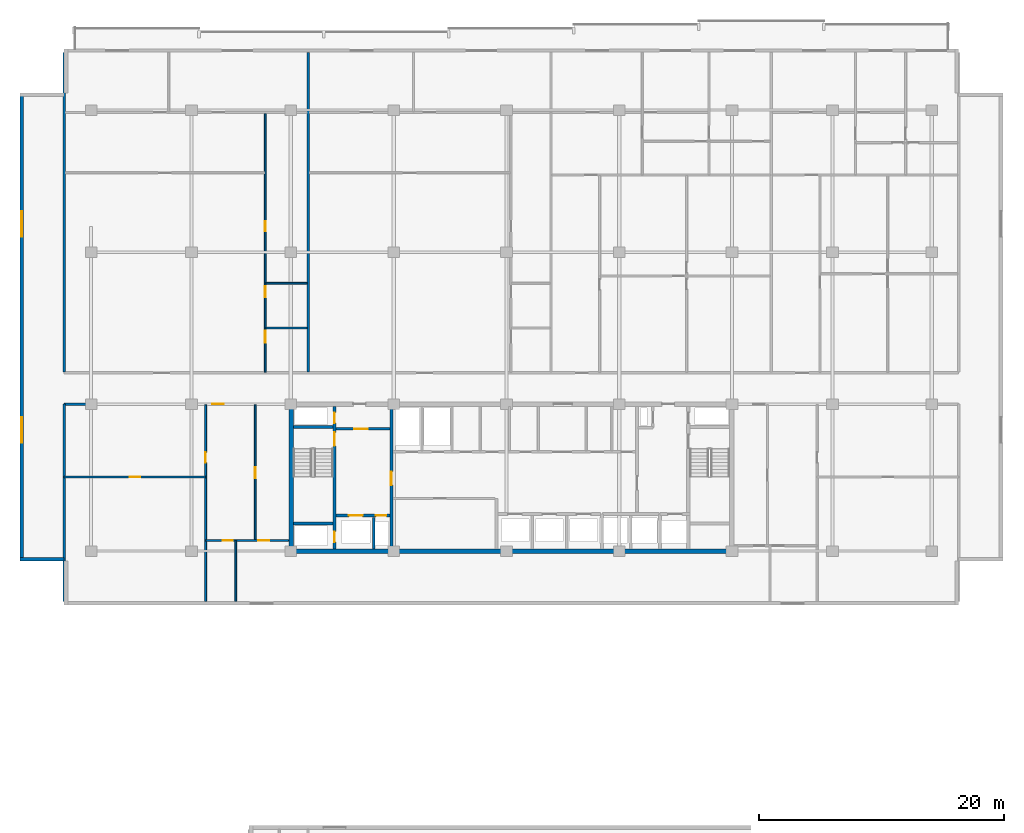
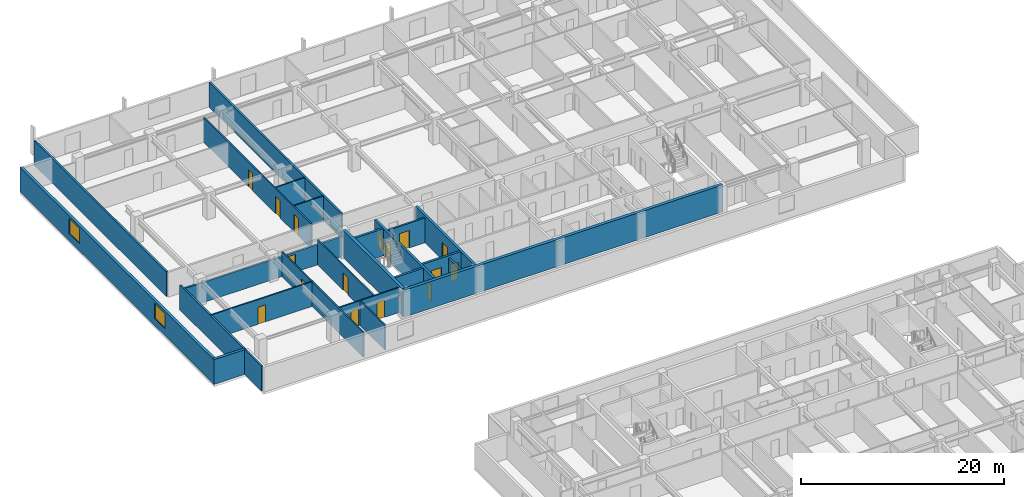
# One storey, part 10 of 21: 23 walls, 16 doors, 2 windows, 18 openings.
"""IFC4 building model written with IfcOpenShell, lengths in metres."""

from ifc_helpers import new_model, si_unit, direction, frame, frame_2d, origin, place, context, subcontext, project, spatial, rectangle, extrude, material, layer, layer_set, type_object, element, fill, save


model = new_model("IFC4")

# Units and contexts
model_context = context("Model", 3, precision=1e-05, world=origin(), true_north=direction((0.0, 1.0)))
body_context = subcontext(model_context, "Body", "Model", "MODEL_VIEW")
ifc_project = project(units=[si_unit("LENGTHUNIT", "METRE"), si_unit("AREAUNIT", "SQUARE_METRE"), si_unit("VOLUMEUNIT", "CUBIC_METRE"), si_unit("PLANEANGLEUNIT", "RADIAN"), si_unit("MASSUNIT", "GRAM", prefix="KILO")], contexts=[model_context])

# Site, building, storey
site_placement = place(None, origin())
site = spatial("IfcSite", under=ifc_project, at=site_placement, CompositionType="ELEMENT")
building_placement = place(site_placement, origin())
building = spatial("IfcBuilding", under=site, at=building_placement, Name="Korimba Cascade Residences", CompositionType="ELEMENT")
storey_placement = place(building_placement, frame((0.0, 0.0, 119.800048828125)))
storey = spatial("IfcBuildingStorey", under=building, at=storey_placement, Name="L34", CompositionType="ELEMENT", Elevation=119.800048828125)

# Wall, openings, windows
ifc_material_1 = material(Name="Precast concrete C40/50", Category="concrete")
ifc_layer_1 = layer(ifc_material_1, 0.300048828125)
ifc_layer_set_1 = layer_set([ifc_layer_1], Name="Precast concrete C40/50")
wall_type_1 = type_object("IfcWallType", Name="EW-STONE-300", PredefinedType="STANDARD", material=ifc_layer_set_1)
wall_1_placement = place(storey_placement, frame((54.14990234375, 92.60009765625, 0.0), z_axis=(0.0, 0.0, 1.0), x_axis=(0.0, -1.0, 0.0)))
wall_1 = element("IfcWall", 1, at=wall_1_placement, inside=storey, type_object=wall_type_1, Name="L34 T1 Perimeter Stone Wall E09", PredefinedType="STANDARD", context=body_context, shape_type="SweptSolid", body=[
    extrude(rectangle(XDim=38.2001953125, YDim=0.300048828125, at=frame_2d((19.10009765625, 0.0))), origin(), (0.0, 0.0, 1.0), 2.969970703125),
])
opening_1_placement = place(wall_1_placement, frame((9.64599609375, 0.0, 0.85009765625)))
opening_1 = element("IfcOpeningElement", 2, at=opening_1_placement, cuts=wall_1, Name="Opening W-03", PredefinedType="OPENING", context=body_context, shape_type="SweptSolid", body=[
    extrude(rectangle(XDim=2.10009765625, YDim=1.85009765625, at=frame_2d((1.050048828125, 0.925048828125))), frame((0.0, 0.16015625, 0.0), z_axis=(0.0, -1.0, 0.0), x_axis=(1.0, 0.0, 0.0)), (0.0, 0.0, 1.0), 0.320068359375),
])
opening_2_placement = place(wall_1_placement, frame((26.4541015625, 0.0, 0.85009765625)))
opening_2 = element("IfcOpeningElement", 3, at=opening_2_placement, cuts=wall_1, Name="Opening W-03", PredefinedType="OPENING", context=body_context, shape_type="SweptSolid", body=[
    extrude(rectangle(XDim=2.10009765625, YDim=1.85009765625, at=frame_2d((1.050048828125, 0.925048828125))), frame((0.0, 0.16015625, 0.0), z_axis=(0.0, -1.0, 0.0), x_axis=(1.0, 0.0, 0.0)), (0.0, 0.0, 1.0), 0.320068359375),
])
ifc_material_2 = material(Name="Double-Glazed Aluminium Window", Category="aluminium")
window_type = type_object("IfcWindowType", Name="WIN-CRN-2100", PartitioningType="DOUBLE_PANEL_HORIZONTAL", PredefinedType="WINDOW", material=ifc_material_2)
window_1_placement = place(opening_1_placement, origin())
window_1 = element("IfcWindow", 4, at=window_1_placement, inside=storey, type_object=window_type, Name="L34 T1 End View Window 9.1", OverallHeight=1.85009765625, OverallWidth=2.10009765625, PartitioningType="DOUBLE_PANEL_HORIZONTAL", PredefinedType="WINDOW", context=body_context, shape_type="SweptSolid", body=[
    extrude(rectangle(XDim=2.10009765625, YDim=1.85009765625, at=frame_2d((1.050048828125, 0.925048828125))), frame((0.0, 0.030029296875, 0.0), z_axis=(0.0, -1.0, 0.0), x_axis=(1.0, 0.0, 0.0)), (0.0, 0.0, 1.0), 0.06005859375),
])
fill(opening_1, window_1)
window_2_placement = place(opening_2_placement, origin())
window_2 = element("IfcWindow", 5, at=window_2_placement, inside=storey, type_object=window_type, Name="L34 T1 End View Window 9.2", OverallHeight=1.85009765625, OverallWidth=2.10009765625, PartitioningType="DOUBLE_PANEL_HORIZONTAL", PredefinedType="WINDOW", context=body_context, shape_type="SweptSolid", body=[
    extrude(rectangle(XDim=2.10009765625, YDim=1.85009765625, at=frame_2d((1.050048828125, 0.925048828125))), frame((0.0, 0.030029296875, 0.0), z_axis=(0.0, -1.0, 0.0), x_axis=(1.0, 0.0, 0.0)), (0.0, 0.0, 1.0), 0.06005859375),
])
fill(opening_2, window_2)

# Walls
wall_2_placement = place(storey_placement, frame((54.0, 54.550048828125, 0.0), z_axis=(0.0, 0.0, 1.0), x_axis=(1.0, 0.0, 0.0)))
element("IfcWall", 6, at=wall_2_placement, inside=storey, type_object=wall_type_1, Name="L34 T1 Perimeter Stone Wall E10", PredefinedType="STANDARD", context=body_context, shape_type="SweptSolid", body=[
    extrude(rectangle(XDim=3.60009765625, YDim=0.300048828125, at=frame_2d((1.800048828125, 0.0))), origin(), (0.0, 0.0, 1.0), 2.969970703125),
])
ifc_material_3 = material(Name="Concrete C65/80", Category="concrete")
ifc_layer_2 = layer(ifc_material_3, 0.35009765625)
ifc_layer_set_2 = layer_set([ifc_layer_2], Name="Concrete C65/80")
wall_type_2 = type_object("IfcWallType", Name="WAL-CORE-350", PredefinedType="SHEAR", material=ifc_layer_set_2)
wall_3_placement = place(storey_placement, frame((75.949951171875, 55.199951171875, 0.0), z_axis=(0.0, 0.0, 1.0), x_axis=(1.0, 0.0, 0.0)))
element("IfcWall", 7, at=wall_3_placement, inside=storey, type_object=wall_type_2, Name="L34 Core Shear Wall CW-L34-T1-S", PredefinedType="SHEAR", context=body_context, shape_type="SweptSolid", body=[
    extrude(rectangle(XDim=36.300048828125, YDim=0.35009765625, at=frame_2d((18.14990234375, 0.0))), origin(), (0.0, 0.0, 1.0), 3.25),
])
wall_4_placement = place(storey_placement, frame((76.125, 55.375, 0.0), z_axis=(0.0, 0.0, 1.0), x_axis=(0.0, 1.0, 0.0)))
element("IfcWall", 8, at=wall_4_placement, inside=storey, type_object=wall_type_2, Name="L34 Core Shear Wall CW-L34-T1-W", PredefinedType="SHEAR", context=body_context, shape_type="SweptSolid", body=[
    extrude(rectangle(XDim=11.64990234375, YDim=0.35009765625, at=frame_2d((5.824951171875, 0.0))), origin(), (0.0, 0.0, 1.0), 3.25),
])
ifc_layer_3 = layer(ifc_material_1, 0.199951171875)
ifc_layer_set_3 = layer_set([ifc_layer_3], Name="Precast concrete C40/50")
wall_type_3 = type_object("IfcWallType", Name="WAL-IT-200", PredefinedType="PARTITIONING", material=ifc_layer_set_3)
wall_5_placement = place(storey_placement, frame((57.60009765625, 51.10009765625, 0.0), z_axis=(0.0, 0.0, 1.0), x_axis=(0.0, 1.0, 0.0)))
element("IfcWall", 9, at=wall_5_placement, inside=storey, type_object=wall_type_3, Name="L34 Partition Wall WAL-L34-T1-FW-WL", PredefinedType="PARTITIONING", context=body_context, shape_type="SweptSolid", body=[
    extrude(rectangle(XDim=16.099853515625, YDim=0.199951171875, at=frame_2d((8.0498046875, 0.0))), origin(), (0.0, 0.0, 1.0), 2.969970703125),
])

# Wall, opening, door
wall_6_placement = place(storey_placement, frame((57.60009765625, 67.199951171875, 0.0), z_axis=(0.0, 0.0, 1.0), x_axis=(1.0, 0.0, 0.0)))
wall_6 = element("IfcWall", 10, at=wall_6_placement, inside=storey, type_object=wall_type_3, Name="L34 Partition Wall WAL-L34-T1-FW-N", PredefinedType="PARTITIONING", context=body_context, shape_type="SweptSolid", body=[
    extrude(rectangle(XDim=18.349853515625, YDim=0.199951171875, at=frame_2d((9.1748046875, 0.0))), origin(), (0.0, 0.0, 1.0), 2.433349609375),
])
opening_3_placement = place(wall_6_placement, frame((12.07470703125, 0.0, 0.0)))
opening_3 = element("IfcOpeningElement", 11, at=opening_3_placement, cuts=wall_6, Name="Opening D-UN1", PredefinedType="OPENING", context=body_context, shape_type="SweptSolid", body=[
    extrude(rectangle(XDim=0.949951171875, YDim=2.14990234375, at=frame_2d((0.47509765625, 1.074951171875))), frame((0.0, 0.10986328125, 0.0), z_axis=(0.0, -1.0, 0.0), x_axis=(1.0, 0.0, 0.0)), (0.0, 0.0, 1.0), 0.219970703125),
])
ifc_material_4 = material(Name="Fire-Rated Hardwood Apartment Entrance Door", Category="wood")
door_type_1 = type_object("IfcDoorType", Name="DR-FD60-950", OperationType="NOTDEFINED", PredefinedType="DOOR", material=ifc_material_4)
door_1_placement = place(opening_3_placement, origin())
door_1 = element("IfcDoor", 12, at=door_1_placement, inside=storey, type_object=door_type_1, Name="L34-T1-FW Entrance Door", OperationType="SINGLE_SWING_RIGHT", OverallHeight=2.14990234375, OverallWidth=0.949951171875, PredefinedType="DOOR", context=body_context, shape_type="SweptSolid", body=[
    extrude(rectangle(XDim=0.949951171875, YDim=2.14990234375, at=frame_2d((0.47509765625, 1.074951171875))), frame((0.0, 0.02490234375, 0.0), z_axis=(0.0, -1.0, 0.0), x_axis=(1.0, 0.0, 0.0)), (0.0, 0.0, 1.0), 0.050048828125),
])
fill(opening_3, door_1)

# Walls
for number, where, z_axis, x_axis, name in (
    (13, (57.60009765625, 69.830078125, 0.0), (0.0, 0.0, 1.0), (0.0, 1.0, 0.0), "L34 Partition Wall WAL-L34-T1-BNDWL"),
    (14, (77.510498046875, 69.830078125, 0.0), (0.0, 0.0, 1.0), (0.0, 1.0, 0.0), "L34 Partition Wall WAL-L34-T1-DEM-1"),
):
    element("IfcWall", number, at=place(storey_placement, frame(where, z_axis=z_axis, x_axis=x_axis)), inside=storey, type_object=wall_type_3, Name=name, PredefinedType="PARTITIONING", context=body_context, shape_type="SweptSolid", body=[
        extrude(rectangle(XDim=26.06982421875, YDim=0.199951171875, at=frame_2d((13.034912109375, 0.0))), origin(), (0.0, 0.0, 1.0), 2.969970703125),
    ])

# Wall, opening, door
ifc_material_5 = material(Name="Insulated Acoustic Stud Partition", Category="gypsum")
ifc_layer_4 = layer(ifc_material_5, 0.14990234375)
ifc_layer_set_4 = layer_set([ifc_layer_4], Name="Insulated Acoustic Stud Partition")
wall_type_4 = type_object("IfcWallType", Name="WAL-PART-150", PredefinedType="PARTITIONING", material=ifc_layer_set_4)
wall_7_placement = place(storey_placement, frame((57.60009765625, 61.25, 0.0), z_axis=(0.0, 0.0, 1.0), x_axis=(1.0, 0.0, 0.0)))
wall_7 = element("IfcWall", 15, at=wall_7_placement, inside=storey, type_object=wall_type_4, Name="L34 Partition Wall WAL-L34-T1-FW-STH", PredefinedType="PARTITIONING", context=body_context, shape_type="SweptSolid", body=[
    extrude(rectangle(XDim=11.5498046875, YDim=0.14990234375, at=frame_2d((5.77490234375, 0.0))), origin(), (0.0, 0.0, 1.0), 2.969970703125),
])
opening_4_placement = place(wall_7_placement, frame((5.35498046875, 0.0, 0.0)))
opening_4 = element("IfcOpeningElement", 16, at=opening_4_placement, cuts=wall_7, Name="Opening D-BT1", PredefinedType="OPENING", context=body_context, shape_type="SweptSolid", body=[
    extrude(rectangle(XDim=0.840087890625, YDim=2.0400390625, at=frame_2d((0.419921875, 1.02001953125))), frame((0.0, 0.0849609375, 0.0), z_axis=(0.0, -1.0, 0.0), x_axis=(1.0, 0.0, 0.0)), (0.0, 0.0, 1.0), 0.169921875),
])
ifc_material_6 = material(Name="Moisture-Resistant Bathroom Timber Door", Category="wood")
door_type_2 = type_object("IfcDoorType", Name="DR-INT-850", OperationType="NOTDEFINED", PredefinedType="DOOR", material=ifc_material_6)
door_2_placement = place(opening_4_placement, origin())
door_2 = element("IfcDoor", 17, at=door_2_placement, inside=storey, type_object=door_type_2, Name="L34-T1-FW Dressing Store Door", OperationType="SINGLE_SWING_LEFT", OverallHeight=2.0400390625, OverallWidth=0.840087890625, PredefinedType="DOOR", context=body_context, shape_type="SweptSolid", body=[
    extrude(rectangle(XDim=0.840087890625, YDim=2.0400390625, at=frame_2d((0.419921875, 1.02001953125))), frame((0.0, 0.02490234375, 0.0), z_axis=(0.0, -1.0, 0.0), x_axis=(1.0, 0.0, 0.0)), (0.0, 0.0, 1.0), 0.050048828125),
])
fill(opening_4, door_2)

wall_8_placement = place(storey_placement, frame((69.14990234375, 51.10009765625, 0.0), z_axis=(0.0, 0.0, 1.0), x_axis=(0.0, 1.0, 0.0)))
wall_8 = element("IfcWall", 18, at=wall_8_placement, inside=storey, type_object=wall_type_4, Name="L34 Partition Wall WAL-L34-T1-FW-STV", PredefinedType="PARTITIONING", context=body_context, shape_type="SweptSolid", body=[
    extrude(rectangle(XDim=16.0498046875, YDim=0.14990234375, at=frame_2d((8.02490234375, 0.0))), origin(), (0.0, 0.0, 1.0), 2.969970703125),
])
opening_5_placement = place(wall_8_placement, frame((11.300048828125, 0.0, 0.0)))
opening_5 = element("IfcOpeningElement", 19, at=opening_5_placement, cuts=wall_8, Name="Opening D-IN2", PredefinedType="OPENING", context=body_context, shape_type="SweptSolid", body=[
    extrude(rectangle(XDim=0.8798828125, YDim=2.06005859375, at=frame_2d((0.43994140625, 1.030029296875))), frame((0.0, 0.0849609375, 0.0), z_axis=(0.0, -1.0, 0.0), x_axis=(1.0, 0.0, 0.0)), (0.0, 0.0, 1.0), 0.169921875),
])
ifc_material_7 = material(Name="Acoustic Timber Bedroom Door", Category="wood")
door_type_3 = type_object("IfcDoorType", Name="DR-INT-880", OperationType="NOTDEFINED", PredefinedType="DOOR", material=ifc_material_7)
door_3_placement = place(opening_5_placement, origin())
door_3 = element("IfcDoor", 20, at=door_3_placement, inside=storey, type_object=door_type_3, Name="L34-T1-FW Study Door", OperationType="SINGLE_SWING_RIGHT", OverallHeight=2.06005859375, OverallWidth=0.8798828125, PredefinedType="DOOR", context=body_context, shape_type="SweptSolid", body=[
    extrude(rectangle(XDim=0.8798828125, YDim=2.06005859375, at=frame_2d((0.43994140625, 1.030029296875))), frame((0.0, 0.02490234375, 0.0), z_axis=(0.0, -1.0, 0.0), x_axis=(1.0, 0.0, 0.0)), (0.0, 0.0, 1.0), 0.050048828125),
])
fill(opening_5, door_3)

wall_9_placement = place(storey_placement, frame((73.199951171875, 56.070068359375, 0.0), z_axis=(0.0, 0.0, 1.0), x_axis=(0.0, 1.0, 0.0)))
wall_9 = element("IfcWall", 21, at=wall_9_placement, inside=storey, type_object=wall_type_4, Name="L34 Partition Wall WAL-L34-T1-FW-VN", PredefinedType="PARTITIONING", context=body_context, shape_type="SweptSolid", body=[
    extrude(rectangle(XDim=11.079833984375, YDim=0.14990234375, at=frame_2d((5.5400390625, 0.0))), origin(), (0.0, 0.0, 1.0), 2.969970703125),
])
opening_6_placement = place(wall_9_placement, frame((5.080078125, 0.0, 0.0)))
opening_6 = element("IfcOpeningElement", 22, at=opening_6_placement, cuts=wall_9, Name="Opening D-IN1", PredefinedType="OPENING", context=body_context, shape_type="SweptSolid", body=[
    extrude(rectangle(XDim=0.919921875, YDim=2.080078125, at=frame_2d((0.4599609375, 1.0400390625))), frame((0.0, 0.0849609375, 0.0), z_axis=(0.0, -1.0, 0.0), x_axis=(1.0, 0.0, 0.0)), (0.0, 0.0, 1.0), 0.169921875),
])
ifc_material_8 = material(Name="Acoustic Timber Living Door", Category="wood")
door_type_4 = type_object("IfcDoorType", Name="DR-INT-920", OperationType="NOTDEFINED", PredefinedType="DOOR", material=ifc_material_8)
door_4_placement = place(opening_6_placement, origin())
door_4 = element("IfcDoor", 23, at=door_4_placement, inside=storey, type_object=door_type_4, Name="L34-T1-FW Living Door", OperationType="SINGLE_SWING_LEFT", OverallHeight=2.080078125, OverallWidth=0.919921875, PredefinedType="DOOR", context=body_context, shape_type="SweptSolid", body=[
    extrude(rectangle(XDim=0.919921875, YDim=2.080078125, at=frame_2d((0.4599609375, 1.0400390625))), frame((0.0, 0.02490234375, 0.0), z_axis=(0.0, -1.0, 0.0), x_axis=(1.0, 0.0, 0.0)), (0.0, 0.0, 1.0), 0.050048828125),
])
fill(opening_6, door_4)

# Wall
wall_10_placement = place(storey_placement, frame((71.60009765625, 51.10009765625, 0.0), z_axis=(0.0, 0.0, 1.0), x_axis=(0.0, 1.0, 0.0)))
element("IfcWall", 24, at=wall_10_placement, inside=storey, type_object=wall_type_4, Name="L34 Partition Wall WAL-L34-T1-FW-VS", PredefinedType="PARTITIONING", context=body_context, shape_type="SweptSolid", body=[
    extrude(rectangle(XDim=4.969970703125, YDim=0.14990234375, at=frame_2d((2.48486328125, 0.0))), origin(), (0.0, 0.0, 1.0), 2.969970703125),
])

# Wall, openings, doors
wall_11_placement = place(storey_placement, frame((69.169921875, 56.070068359375, 0.0), z_axis=(0.0, 0.0, 1.0), x_axis=(1.0, 0.0, 0.0)))
wall_11 = element("IfcWall", 25, at=wall_11_placement, inside=storey, type_object=wall_type_4, Name="L34 Partition Wall WAL-L34-T1-FW-H", PredefinedType="PARTITIONING", context=body_context, shape_type="SweptSolid", body=[
    extrude(rectangle(XDim=6.760009765625, YDim=0.14990234375, at=frame_2d((3.3798828125, 0.0))), origin(), (0.0, 0.0, 1.0), 2.969970703125),
])
opening_7_placement = place(wall_11_placement, frame((1.3623046875, 0.0, 0.0)))
opening_7 = element("IfcOpeningElement", 26, at=opening_7_placement, cuts=wall_11, Name="Opening D-BT1", PredefinedType="OPENING", context=body_context, shape_type="SweptSolid", body=[
    extrude(rectangle(XDim=0.840087890625, YDim=2.0400390625, at=frame_2d((0.419921875, 1.02001953125))), frame((0.0, 0.0849609375, 0.0), z_axis=(0.0, -1.0, 0.0), x_axis=(1.0, 0.0, 0.0)), (0.0, 0.0, 1.0), 0.169921875),
])
opening_8_placement = place(wall_11_placement, frame((4.276611328125, 0.0, 0.0)))
opening_8 = element("IfcOpeningElement", 27, at=opening_8_placement, cuts=wall_11, Name="Opening D-IN2", PredefinedType="OPENING", context=body_context, shape_type="SweptSolid", body=[
    extrude(rectangle(XDim=0.8798828125, YDim=2.06005859375, at=frame_2d((0.43994140625, 1.030029296875))), frame((0.0, 0.0849609375, 0.0), z_axis=(0.0, -1.0, 0.0), x_axis=(1.0, 0.0, 0.0)), (0.0, 0.0, 1.0), 0.169921875),
])
door_5_placement = place(opening_7_placement, origin())
door_5 = element("IfcDoor", 28, at=door_5_placement, inside=storey, type_object=door_type_2, Name="L34-T1-FW Bathroom Door", OperationType="SINGLE_SWING_RIGHT", OverallHeight=2.0400390625, OverallWidth=0.840087890625, PredefinedType="DOOR", context=body_context, shape_type="SweptSolid", body=[
    extrude(rectangle(XDim=0.840087890625, YDim=2.0400390625, at=frame_2d((0.419921875, 1.02001953125))), frame((0.0, 0.02490234375, 0.0), z_axis=(0.0, -1.0, 0.0), x_axis=(1.0, 0.0, 0.0)), (0.0, 0.0, 1.0), 0.050048828125),
])
fill(opening_7, door_5)
door_6_placement = place(opening_8_placement, origin())
door_6 = element("IfcDoor", 29, at=door_6_placement, inside=storey, type_object=door_type_3, Name="L34-T1-FW Bedroom Door", OperationType="SINGLE_SWING_LEFT", OverallHeight=2.06005859375, OverallWidth=0.8798828125, PredefinedType="DOOR", context=body_context, shape_type="SweptSolid", body=[
    extrude(rectangle(XDim=0.8798828125, YDim=2.06005859375, at=frame_2d((0.43994140625, 1.030029296875))), frame((0.0, 0.02490234375, 0.0), z_axis=(0.0, -1.0, 0.0), x_axis=(1.0, 0.0, 0.0)), (0.0, 0.0, 1.0), 0.050048828125),
])
fill(opening_8, door_6)

# Walls
for number, where, z_axis, x_axis, name in (
    (30, (74.070556640625, 73.419921875, 0.0), (0.0, 0.0, 1.0), (1.0, 0.0, 0.0), "L34 Partition Wall WAL-L34-T1-U01-WCH"),
    (31, (74.070556640625, 77.070068359375, 0.0), (0.0, 0.0, 1.0), (1.0, 0.0, 0.0), "L34 Partition Wall WAL-L34-T1-U01-WCH2"),
):
    element("IfcWall", number, at=place(storey_placement, frame(where, z_axis=z_axis, x_axis=x_axis)), inside=storey, type_object=wall_type_4, Name=name, PredefinedType="PARTITIONING", context=body_context, shape_type="SweptSolid", body=[
        extrude(rectangle(XDim=3.35986328125, YDim=0.14990234375, at=frame_2d((1.679931640625, 0.0))), origin(), (0.0, 0.0, 1.0), 2.969970703125),
    ])

# Wall, openings, doors
wall_12_placement = place(storey_placement, frame((74.010498046875, 69.81005859375, 0.0), z_axis=(0.0, 0.0, 1.0), x_axis=(0.0, 1.0, 0.0)))
wall_12 = element("IfcWall", 32, at=wall_12_placement, inside=storey, type_object=wall_type_4, Name="L34 Partition Wall WAL-L34-T1-U01-WCV", PredefinedType="PARTITIONING", context=body_context, shape_type="SweptSolid", body=[
    extrude(rectangle(XDim=21.1298828125, YDim=0.14990234375, at=frame_2d((10.56494140625, 0.0))), origin(), (0.0, 0.0, 1.0), 2.969970703125),
])
opening_9_placement = place(wall_12_placement, frame((2.406005859375, 0.0, 0.0)))
opening_9 = element("IfcOpeningElement", 33, at=opening_9_placement, cuts=wall_12, Name="Opening D-AC1", PredefinedType="OPENING", context=body_context, shape_type="SweptSolid", body=[
    extrude(rectangle(XDim=0.9599609375, YDim=2.10009765625, at=frame_2d((0.47998046875, 1.050048828125))), frame((0.0, 0.0849609375, 0.0), z_axis=(0.0, -1.0, 0.0), x_axis=(1.0, 0.0, 0.0)), (0.0, 0.0, 1.0), 0.169921875),
])
opening_10_placement = place(wall_12_placement, frame((6.132568359375, 0.0, 0.0)))
opening_10 = element("IfcOpeningElement", 34, at=opening_10_placement, cuts=wall_12, Name="Opening D-IN2", PredefinedType="OPENING", context=body_context, shape_type="SweptSolid", body=[
    extrude(rectangle(XDim=0.8798828125, YDim=2.06005859375, at=frame_2d((0.43994140625, 1.030029296875))), frame((0.0, 0.0849609375, 0.0), z_axis=(0.0, -1.0, 0.0), x_axis=(1.0, 0.0, 0.0)), (0.0, 0.0, 1.0), 0.169921875),
])
opening_11_placement = place(wall_12_placement, frame((11.482421875, 0.0, 0.0)))
opening_11 = element("IfcOpeningElement", 35, at=opening_11_placement, cuts=wall_12, Name="Opening D-BT1", PredefinedType="OPENING", context=body_context, shape_type="SweptSolid", body=[
    extrude(rectangle(XDim=0.840087890625, YDim=2.0400390625, at=frame_2d((0.419921875, 1.02001953125))), frame((0.0, 0.0849609375, 0.0), z_axis=(0.0, -1.0, 0.0), x_axis=(1.0, 0.0, 0.0)), (0.0, 0.0, 1.0), 0.169921875),
])
ifc_material_9 = material(Name="Accessible Acoustic Timber WC Door", Category="wood")
door_type_5 = type_object("IfcDoorType", Name="DR-ACC-950", OperationType="NOTDEFINED", PredefinedType="DOOR", material=ifc_material_9)
door_7_placement = place(opening_9_placement, origin())
door_7 = element("IfcDoor", 36, at=door_7_placement, inside=storey, type_object=door_type_5, Name="L34-T1-U01 Accessible WC Door", OperationType="SINGLE_SWING_RIGHT", OverallHeight=2.10009765625, OverallWidth=0.9599609375, PredefinedType="DOOR", context=body_context, shape_type="SweptSolid", body=[
    extrude(rectangle(XDim=0.9599609375, YDim=2.10009765625, at=frame_2d((0.47998046875, 1.050048828125))), frame((0.0, 0.02490234375, 0.0), z_axis=(0.0, -1.0, 0.0), x_axis=(1.0, 0.0, 0.0)), (0.0, 0.0, 1.0), 0.050048828125),
])
fill(opening_9, door_7)
door_8_placement = place(opening_11_placement, origin())
door_8 = element("IfcDoor", 37, at=door_8_placement, inside=storey, type_object=door_type_2, Name="L34-T1-U01 Suite Store Door", OperationType="SINGLE_SWING_RIGHT", OverallHeight=2.0400390625, OverallWidth=0.840087890625, PredefinedType="DOOR", context=body_context, shape_type="SweptSolid", body=[
    extrude(rectangle(XDim=0.840087890625, YDim=2.0400390625, at=frame_2d((0.419921875, 1.02001953125))), frame((0.0, 0.02490234375, 0.0), z_axis=(0.0, -1.0, 0.0), x_axis=(1.0, 0.0, 0.0)), (0.0, 0.0, 1.0), 0.050048828125),
])
fill(opening_11, door_8)
door_9_placement = place(opening_10_placement, origin())
door_9 = element("IfcDoor", 38, at=door_9_placement, inside=storey, type_object=door_type_3, Name="L34-T1-U01 Restroom WC Door", OperationType="SINGLE_SWING_LEFT", OverallHeight=2.06005859375, OverallWidth=0.8798828125, PredefinedType="DOOR", context=body_context, shape_type="SweptSolid", body=[
    extrude(rectangle(XDim=0.8798828125, YDim=2.06005859375, at=frame_2d((0.43994140625, 1.030029296875))), frame((0.0, 0.02490234375, 0.0), z_axis=(0.0, -1.0, 0.0), x_axis=(1.0, 0.0, 0.0)), (0.0, 0.0, 1.0), 0.050048828125),
])
fill(opening_10, door_9)

# Wall
ifc_material_10 = material(Name="Concrete C40/50", Category="concrete")
ifc_layer_5 = layer(ifc_material_10, 0.199951171875)
ifc_layer_set_5 = layer_set([ifc_layer_5], Name="Concrete C40/50")
wall_type_5 = type_object("IfcWallType", Name="WAL-PART-200", PredefinedType="PARTITIONING", material=ifc_layer_set_5)
wall_13_placement = place(storey_placement, frame((82.85009765625, 55.39990234375, 0.0), z_axis=(0.0, 0.0, 1.0), x_axis=(0.0, 1.0, 0.0)))
element("IfcWall", 39, at=wall_13_placement, inside=storey, type_object=wall_type_5, Name="L34 Partition Wall CW-L34-T1-FFLDIV", PredefinedType="PARTITIONING", context=body_context, shape_type="SweptSolid", body=[
    extrude(rectangle(XDim=2.56005859375, YDim=0.199951171875, at=frame_2d((1.280029296875, 0.0))), origin(), (0.0, 0.0, 1.0), 2.969970703125),
])

# Wall, opening, door
wall_14_placement = place(storey_placement, frame((79.7900390625, 65.179931640625, 0.0), z_axis=(0.0, 0.0, 1.0), x_axis=(1.0, 0.0, 0.0)))
wall_14 = element("IfcWall", 40, at=wall_14_placement, inside=storey, type_object=wall_type_5, Name="L34 Partition Wall CW-L34-T1-FFLN", PredefinedType="PARTITIONING", context=body_context, shape_type="SweptSolid", body=[
    extrude(rectangle(XDim=4.389892578125, YDim=0.199951171875, at=frame_2d((2.19482421875, 0.0))), origin(), (0.0, 0.0, 1.0), 2.969970703125),
])
opening_12_placement = place(wall_14_placement, frame((1.5, 0.0, 0.0)))
opening_12 = element("IfcOpeningElement", 41, at=opening_12_placement, cuts=wall_14, Name="Opening D-FD1", PredefinedType="OPENING", context=body_context, shape_type="SweptSolid", body=[
    extrude(rectangle(XDim=1.10009765625, YDim=2.10009765625, at=frame_2d((0.550048828125, 1.050048828125))), frame((0.0, 0.10986328125, 0.0), z_axis=(0.0, -1.0, 0.0), x_axis=(1.0, 0.0, 0.0)), (0.0, 0.0, 1.0), 0.219970703125),
])
ifc_material_11 = material(Name="Fire-Rated Steel Core Door", Category="steel")
door_type_6 = type_object("IfcDoorType", Name="DR-FD120-1100", OperationType="NOTDEFINED", PredefinedType="DOOR", material=ifc_material_11)
door_10_placement = place(opening_12_placement, origin())
door_10 = element("IfcDoor", 42, at=door_10_placement, inside=storey, type_object=door_type_6, Name="L34 West Firefighting Lobby Door", OperationType="SINGLE_SWING_LEFT", OverallHeight=2.10009765625, OverallWidth=1.10009765625, PredefinedType="DOOR", context=body_context, shape_type="SweptSolid", body=[
    extrude(rectangle(XDim=1.10009765625, YDim=2.10009765625, at=frame_2d((0.550048828125, 1.050048828125))), frame((0.0, 0.02490234375, 0.0), z_axis=(0.0, -1.0, 0.0), x_axis=(1.0, 0.0, 0.0)), (0.0, 0.0, 1.0), 0.050048828125),
])
fill(opening_12, door_10)

# Wall, openings, doors
ifc_material_12 = material(Name="Concrete C50/60", Category="concrete")
ifc_layer_6 = layer(ifc_material_12, 0.25)
ifc_layer_set_6 = layer_set([ifc_layer_6], Name="Concrete C50/60")
wall_type_6 = type_object("IfcWallType", Name="WAL-SHAFT-250", PredefinedType="SHEAR", material=ifc_layer_set_6)
wall_15_placement = place(storey_placement, frame((79.6650390625, 55.39990234375, 0.0), z_axis=(0.0, 0.0, 1.0), x_axis=(0.0, 1.0, 0.0)))
wall_15 = element("IfcWall", 43, at=wall_15_placement, inside=storey, type_object=wall_type_6, Name="L34 Core Shear Wall CW-L34-T1-STW1E", PredefinedType="SHEAR", context=body_context, shape_type="SweptSolid", body=[
    extrude(rectangle(XDim=11.60009765625, YDim=0.25, at=frame_2d((5.800048828125, 0.0))), origin(), (0.0, 0.0, 1.0), 3.25),
])
opening_13_placement = place(wall_15_placement, frame((0.550048828125, 0.0, 0.0)))
opening_13 = element("IfcOpeningElement", 44, at=opening_13_placement, cuts=wall_15, Name="Opening D-RS1", PredefinedType="OPENING", context=body_context, shape_type="SweptSolid", body=[
    extrude(rectangle(XDim=0.85009765625, YDim=2.050048828125, at=frame_2d((0.425048828125, 1.02490234375))), frame((0.0, 0.135009765625, 0.0), z_axis=(0.0, -1.0, 0.0), x_axis=(1.0, 0.0, 0.0)), (0.0, 0.0, 1.0), 0.27001953125),
])
opening_14_placement = place(wall_15_placement, frame((8.39990234375, 0.0, 0.0)))
opening_14 = element("IfcOpeningElement", 45, at=opening_14_placement, cuts=wall_15, Name="Opening D-FD1", PredefinedType="OPENING", context=body_context, shape_type="SweptSolid", body=[
    extrude(rectangle(XDim=1.10009765625, YDim=2.10009765625, at=frame_2d((0.550048828125, 1.050048828125))), frame((0.0, 0.135009765625, 0.0), z_axis=(0.0, -1.0, 0.0), x_axis=(1.0, 0.0, 0.0)), (0.0, 0.0, 1.0), 0.27001953125),
])
opening_15_placement = place(wall_15_placement, frame((10.25, 0.0, 0.0)))
opening_15 = element("IfcOpeningElement", 46, at=opening_15_placement, cuts=wall_15, Name="Opening D-RS1", PredefinedType="OPENING", context=body_context, shape_type="SweptSolid", body=[
    extrude(rectangle(XDim=0.85009765625, YDim=2.050048828125, at=frame_2d((0.425048828125, 1.02490234375))), frame((0.0, 0.135009765625, 0.0), z_axis=(0.0, -1.0, 0.0), x_axis=(1.0, 0.0, 0.0)), (0.0, 0.0, 1.0), 0.27001953125),
])
door_11_placement = place(opening_14_placement, origin())
door_11 = element("IfcDoor", 47, at=door_11_placement, inside=storey, type_object=door_type_6, Name="L34 Fire Stair ST-W1 Door", OperationType="SINGLE_SWING_RIGHT", OverallHeight=2.10009765625, OverallWidth=1.10009765625, PredefinedType="DOOR", context=body_context, shape_type="SweptSolid", body=[
    extrude(rectangle(XDim=1.10009765625, YDim=2.10009765625, at=frame_2d((0.550048828125, 1.050048828125))), frame((0.0, 0.02490234375, 0.0), z_axis=(0.0, -1.0, 0.0), x_axis=(1.0, 0.0, 0.0)), (0.0, 0.0, 1.0), 0.050048828125),
])
fill(opening_14, door_11)
ifc_material_13 = material(Name="Fire-Rated Steel Riser Access Door", Category="steel")
door_type_7 = type_object("IfcDoorType", Name="DR-FD60-850", OperationType="NOTDEFINED", PredefinedType="DOOR", material=ifc_material_13)
door_12_placement = place(opening_13_placement, origin())
door_12 = element("IfcDoor", 48, at=door_12_placement, inside=storey, type_object=door_type_7, Name="L34 Smoke Riser Access Door", OperationType="SINGLE_SWING_LEFT", OverallHeight=2.050048828125, OverallWidth=0.85009765625, PredefinedType="DOOR", context=body_context, shape_type="SweptSolid", body=[
    extrude(rectangle(XDim=0.85009765625, YDim=2.050048828125, at=frame_2d((0.425048828125, 1.02490234375))), frame((0.0, 0.02490234375, 0.0), z_axis=(0.0, -1.0, 0.0), x_axis=(1.0, 0.0, 0.0)), (0.0, 0.0, 1.0), 0.050048828125),
])
fill(opening_13, door_12)
door_13_placement = place(opening_15_placement, origin())
door_13 = element("IfcDoor", 49, at=door_13_placement, inside=storey, type_object=door_type_7, Name="L34 Hydrant Riser Access Door", OperationType="SINGLE_SWING_LEFT", OverallHeight=2.050048828125, OverallWidth=0.85009765625, PredefinedType="DOOR", context=body_context, shape_type="SweptSolid", body=[
    extrude(rectangle(XDim=0.85009765625, YDim=2.050048828125, at=frame_2d((0.425048828125, 1.02490234375))), frame((0.0, 0.02490234375, 0.0), z_axis=(0.0, -1.0, 0.0), x_axis=(1.0, 0.0, 0.0)), (0.0, 0.0, 1.0), 0.050048828125),
])
fill(opening_15, door_13)

# Walls
for number, where, z_axis, x_axis, name in (
    (50, (76.300048828125, 57.47509765625, 0.0), (0.0, 0.0, 1.0), (1.0, 0.0, 0.0), "L34 Core Shear Wall CW-L34-T1-STW1S"),
    (51, (76.300048828125, 65.324951171875, 0.0), (0.0, 0.0, 1.0), (1.0, 0.0, 0.0), "L34 Core Shear Wall CW-L34-T1-STW1N"),
):
    element("IfcWall", number, at=place(storey_placement, frame(where, z_axis=z_axis, x_axis=x_axis)), inside=storey, type_object=wall_type_6, Name=name, PredefinedType="SHEAR", context=body_context, shape_type="SweptSolid", body=[
        extrude(rectangle(XDim=3.239990234375, YDim=0.25, at=frame_2d((1.6201171875, 0.0))), origin(), (0.0, 0.0, 1.0), 3.25),
    ])

# Wall, openings, doors
wall_16_placement = place(storey_placement, frame((79.7900390625, 58.10009765625, 0.0), z_axis=(0.0, 0.0, 1.0), x_axis=(1.0, 0.0, 0.0)))
wall_16 = element("IfcWall", 52, at=wall_16_placement, inside=storey, type_object=wall_type_6, Name="L34 Core Shear Wall CW-L34-T1-FFLS", PredefinedType="SHEAR", context=body_context, shape_type="SweptSolid", body=[
    extrude(rectangle(XDim=4.389892578125, YDim=0.25, at=frame_2d((2.19482421875, 0.0))), origin(), (0.0, 0.0, 1.0), 3.25),
])
opening_16_placement = place(wall_16_placement, frame((1.050048828125, 0.0, 0.0)))
opening_16 = element("IfcOpeningElement", 53, at=opening_16_placement, cuts=wall_16, Name="Opening LD-01", PredefinedType="OPENING", context=body_context, shape_type="SweptSolid", body=[
    extrude(rectangle(XDim=1.1201171875, YDim=2.1201171875, at=frame_2d((0.56005859375, 1.06005859375))), frame((0.0, 0.135009765625, 0.0), z_axis=(0.0, -1.0, 0.0), x_axis=(1.0, 0.0, 0.0)), (0.0, 0.0, 1.0), 0.27001953125),
])
opening_17_placement = place(wall_16_placement, frame((3.260009765625, 0.0, 0.0)))
opening_17 = element("IfcOpeningElement", 54, at=opening_17_placement, cuts=wall_16, Name="Opening D-RS1", PredefinedType="OPENING", context=body_context, shape_type="SweptSolid", body=[
    extrude(rectangle(XDim=0.85009765625, YDim=2.050048828125, at=frame_2d((0.425048828125, 1.02490234375))), frame((0.0, 0.135009765625, 0.0), z_axis=(0.0, -1.0, 0.0), x_axis=(1.0, 0.0, 0.0)), (0.0, 0.0, 1.0), 0.27001953125),
])
door_14_placement = place(opening_17_placement, origin())
door_14 = element("IfcDoor", 55, at=door_14_placement, inside=storey, type_object=door_type_7, Name="L34 Pressurisation Riser Door", OperationType="SINGLE_SWING_RIGHT", OverallHeight=2.050048828125, OverallWidth=0.85009765625, PredefinedType="DOOR", context=body_context, shape_type="SweptSolid", body=[
    extrude(rectangle(XDim=0.85009765625, YDim=2.050048828125, at=frame_2d((0.425048828125, 1.02490234375))), frame((0.0, 0.02490234375, 0.0), z_axis=(0.0, -1.0, 0.0), x_axis=(1.0, 0.0, 0.0)), (0.0, 0.0, 1.0), 0.050048828125),
])
fill(opening_17, door_14)
ifc_material_14 = material(Name="Stainless Steel Lift Landing Sliding Door", Category="steel")
door_type_8 = type_object("IfcDoorType", Name="DR-LIFT-1100", OperationType="NOTDEFINED", PredefinedType="DOOR", material=ifc_material_14)
door_15_placement = place(opening_16_placement, origin())
door_15 = element("IfcDoor", 56, at=door_15_placement, inside=storey, type_object=door_type_8, Name="L34 Firefighting Lift Landing Door FFL-W1", OperationType="SLIDING_TO_LEFT", OverallHeight=2.1201171875, OverallWidth=1.1201171875, PredefinedType="DOOR", context=body_context, shape_type="SweptSolid", body=[
    extrude(rectangle(XDim=1.1201171875, YDim=2.1201171875, at=frame_2d((0.56005859375, 1.06005859375))), frame((0.0, 0.02490234375, 0.0), z_axis=(0.0, -1.0, 0.0), x_axis=(1.0, 0.0, 0.0)), (0.0, 0.0, 1.0), 0.050048828125),
])
fill(opening_16, door_15)

# Wall, opening, door
wall_17_placement = place(storey_placement, frame((84.300048828125, 55.39990234375, 0.0), z_axis=(0.0, 0.0, 1.0), x_axis=(0.0, 1.0, 0.0)))
wall_17 = element("IfcWall", 57, at=wall_17_placement, inside=storey, type_object=wall_type_6, Name="L34 Core Shear Wall CW-L34-T1-FFLE", PredefinedType="SHEAR", context=body_context, shape_type="SweptSolid", body=[
    extrude(rectangle(XDim=11.60009765625, YDim=0.25, at=frame_2d((5.800048828125, 0.0))), origin(), (0.0, 0.0, 1.0), 3.25),
])
opening_18_placement = place(wall_17_placement, frame((5.199951171875, 0.0, 0.0)))
opening_18 = element("IfcOpeningElement", 58, at=opening_18_placement, cuts=wall_17, Name="Opening D-FD1", PredefinedType="OPENING", context=body_context, shape_type="SweptSolid", body=[
    extrude(rectangle(XDim=1.10009765625, YDim=2.10009765625, at=frame_2d((0.550048828125, 1.050048828125))), frame((0.0, 0.135009765625, 0.0), z_axis=(0.0, -1.0, 0.0), x_axis=(1.0, 0.0, 0.0)), (0.0, 0.0, 1.0), 0.27001953125),
])
door_16_placement = place(opening_18_placement, origin())
door_16 = element("IfcDoor", 59, at=door_16_placement, inside=storey, type_object=door_type_6, Name="L34 Firefighting Lobby to Lift Lobby Door", OperationType="SINGLE_SWING_RIGHT", OverallHeight=2.10009765625, OverallWidth=1.10009765625, PredefinedType="DOOR", context=body_context, shape_type="SweptSolid", body=[
    extrude(rectangle(XDim=1.10009765625, YDim=2.10009765625, at=frame_2d((0.550048828125, 1.050048828125))), frame((0.0, 0.02490234375, 0.0), z_axis=(0.0, -1.0, 0.0), x_axis=(1.0, 0.0, 0.0)), (0.0, 0.0, 1.0), 0.050048828125),
])
fill(opening_18, door_16)

save(model, "model.ifc")
